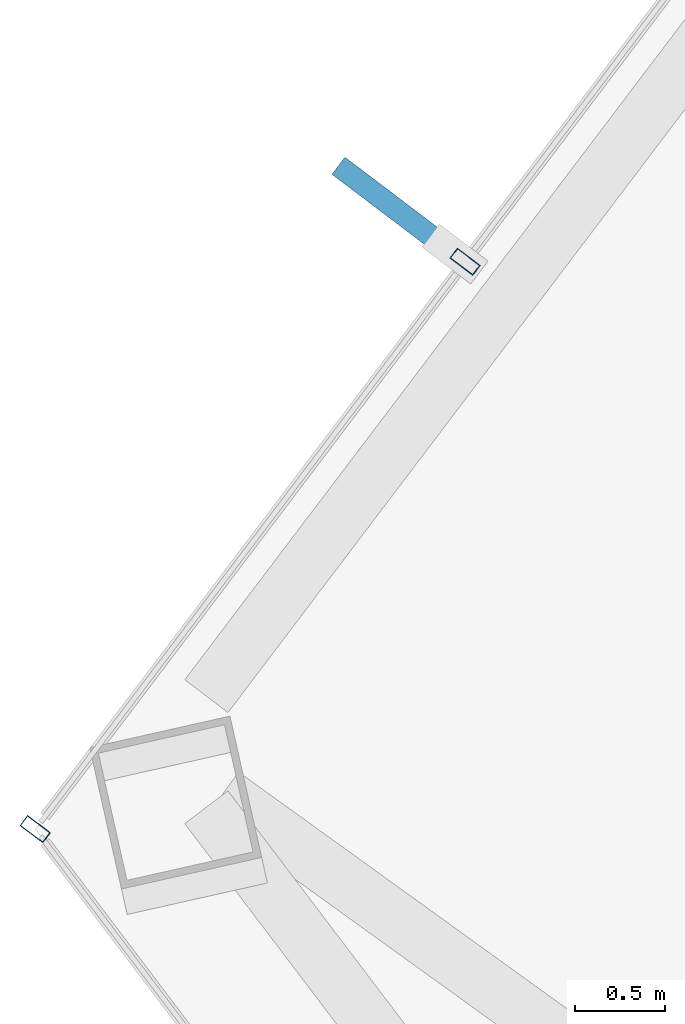
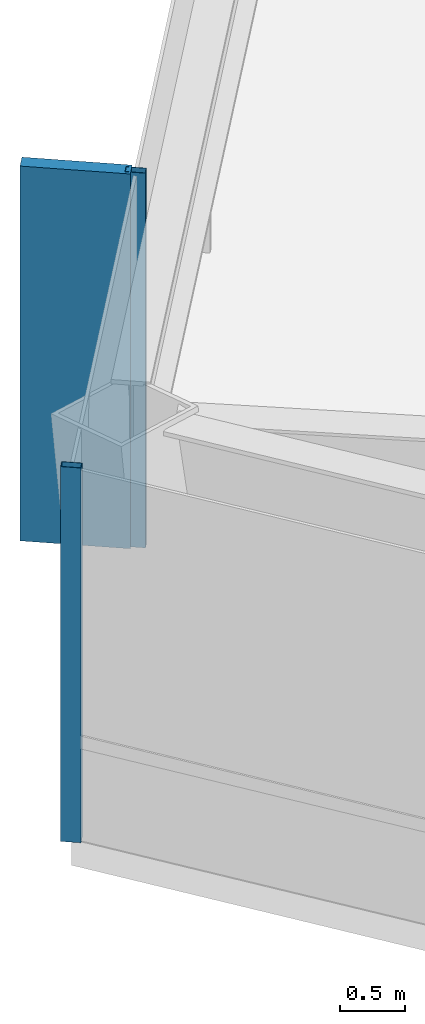
# One storey, part 10 of 30: 3 members, 1 element without a shape of its own.
"""IFC4 building model written with IfcOpenShell, lengths in metres."""

from ifc_helpers import new_model, si_unit, direction, frame, origin, origin_2d, place, context, subcontext, project, spatial, rectangle, hollow_rectangle, extrude, material, layer, layer_set, material_profile, profile_set, type_object, element, aggregate, save


model = new_model("IFC4")

# Units and contexts
model_context = context("Model", 3, precision=1e-05, world=origin(), true_north=direction((0.0, 1.0)))
body_context = subcontext(model_context, "Body", "Model", "MODEL_VIEW")
ifc_project = project(units=[si_unit("LENGTHUNIT", "METRE"), si_unit("AREAUNIT", "SQUARE_METRE"), si_unit("VOLUMEUNIT", "CUBIC_METRE"), si_unit("PLANEANGLEUNIT", "RADIAN"), si_unit("MASSUNIT", "GRAM", prefix="KILO")], contexts=[model_context])

# Site, building, storey
site_placement = place(None, origin())
site = spatial("IfcSite", under=ifc_project, at=site_placement, CompositionType="ELEMENT")
building_placement = place(site_placement, origin())
building = spatial("IfcBuilding", under=site, at=building_placement, Name="Zarrinselat Tower", CompositionType="ELEMENT")
storey_placement = place(building_placement, frame((0.0, 0.0, 130.89990234375)))
storey = spatial("IfcBuildingStorey", under=building, at=storey_placement, Name="L31", CompositionType="ELEMENT", Elevation=130.89990234375)

# Curtain wall, members
ifc_material_1 = material(Name="Extruded Aluminium Alloy EN AW-6063 T6", Category="aluminium")
ifc_layer = layer(ifc_material_1, 0.175048828125)
ifc_layer_set = layer_set([ifc_layer], Name="Extruded Aluminium Alloy EN AW-6063 T6")
curtain_wall_type = type_object("IfcCurtainWallType", Name="CWS-HTL", PredefinedType="NOTDEFINED", material=ifc_layer_set)
curtain_wall_placement = place(storey_placement, origin())
curtain_wall = element("IfcCurtainWall", 1, at=curtain_wall_placement, inside=storey, type_object=curtain_wall_type, Name="L31 Unitised Curtain Wall CW-L31-E02", PredefinedType="NOTDEFINED")
ifc_material_2 = material(Name="Extruded Aluminium Alloy EN AW-6063 T6", Category="aluminium")
ifc_material_profile_1 = material_profile(ifc_material_2, hollow_rectangle(XDim=0.070068359375, YDim=0.159912109375, WallThickness=0.00390625, at=origin_2d()), Name="RHS 160x70x4")
ifc_profile_set_1 = profile_set([ifc_material_profile_1], Name="Extruded Aluminium Alloy EN AW-6063 T6")
member_type_1 = type_object("IfcMemberType", Name="MEM-CW-MUL2", PredefinedType="MULLION", material=ifc_profile_set_1)
member_1_placement = place(storey_placement, frame((17.9130859375, 39.788330078125, 0.0), z_axis=(0.0, 0.0, 1.0), x_axis=(-0.603858052292, -0.797091872172, 0.0)))
member_1 = element("IfcMember", 2, at=member_1_placement, type_object=member_type_1, Name="CW-L31-E02 Mullion 3", PredefinedType="MULLION", context=body_context, shape_type="SweptSolid", body=[
    extrude(hollow_rectangle(XDim=0.070068359375, YDim=0.159912109375, WallThickness=0.00390625, at=origin_2d()), origin(), (0.0, 0.0, 1.0), 3.5),
])
member_2_placement = place(storey_placement, frame((15.51953125, 36.62890625, 0.0), z_axis=(0.0, 0.0, 1.0), x_axis=(-0.603858052292, -0.797091872172, 0.0)))
member_2 = element("IfcMember", 3, at=member_2_placement, type_object=member_type_1, Name="CW-L31-E02 Mullion 4", PredefinedType="MULLION", context=body_context, shape_type="SweptSolid", body=[
    extrude(hollow_rectangle(XDim=0.070068359375, YDim=0.159912109375, WallThickness=0.00390625, at=origin_2d()), origin(), (0.0, 0.0, 1.0), 3.5),
])
ifc_material_3 = material(Name="Honed Cream Travertine Stone", Category="masonry")
ifc_material_profile_2 = material_profile(ifc_material_3, rectangle(XDim=0.1201171875, YDim=0.85009765625, at=origin_2d()), Name="FIN 850x120")
ifc_profile_set_2 = profile_set([ifc_material_profile_2], Name="Honed Cream Travertine Stone")
member_type_2 = type_object("IfcMemberType", Name="MEM-STONE-FIN", PredefinedType="USERDEFINED", material=ifc_profile_set_2)
member_3_placement = place(storey_placement, frame((17.54638671875, 40.066162109375, 0.0), z_axis=(0.0, 0.0, 1.0), x_axis=(0.603858052292, 0.797091872172, 0.0)))
member_3 = element("IfcMember", 4, at=member_3_placement, type_object=member_type_2, Name="L31 Stone Shading Fin CW-L31-E02-03", ObjectType="FIN", PredefinedType="USERDEFINED", context=body_context, shape_type="SweptSolid", body=[
    extrude(rectangle(XDim=0.1201171875, YDim=0.85009765625, at=origin_2d()), origin(), (0.0, 0.0, 1.0), 3.5),
])
aggregate(curtain_wall, [member_1, member_3, member_2])

save(model, "model.ifc")
